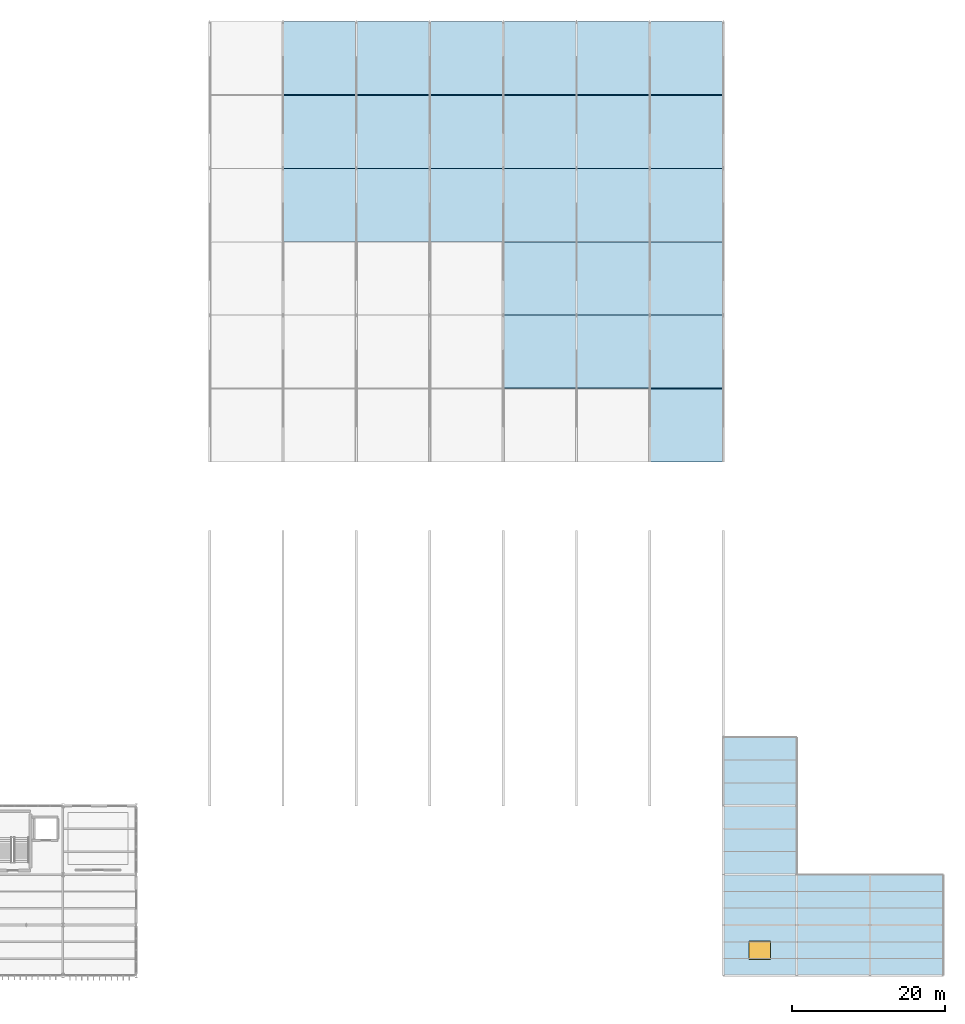
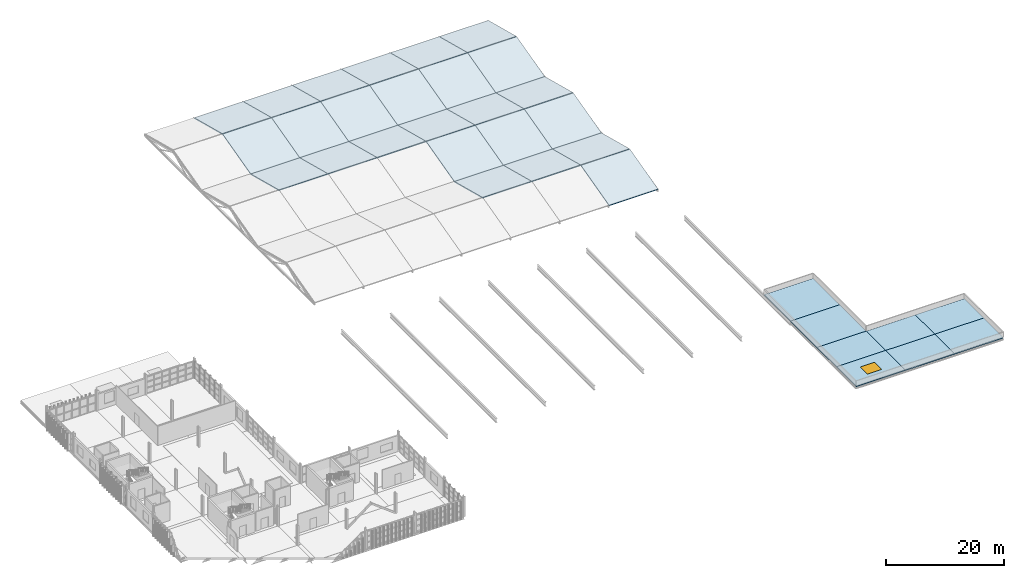
# One storey, part 22 of 52: 33 slabs, 1 window, 1 opening.
"""IFC4 building model written with IfcOpenShell, lengths in metres."""

from ifc_helpers import new_model, si_unit, direction, frame, origin, origin_2d, place, context, subcontext, project, spatial, polyline, rectangle, outline, extrude, material, layer, layer_set, type_object, element, fill, save


model = new_model("IFC4")

# Units and contexts
model_context = context("Model", 3, precision=1e-05, world=origin(), true_north=direction((0.0, 1.0)))
body_context = subcontext(model_context, "Body", "Model", "MODEL_VIEW")
ifc_project = project(units=[si_unit("LENGTHUNIT", "METRE"), si_unit("AREAUNIT", "SQUARE_METRE"), si_unit("VOLUMEUNIT", "CUBIC_METRE"), si_unit("PLANEANGLEUNIT", "RADIAN"), si_unit("MASSUNIT", "GRAM", prefix="KILO")], contexts=[model_context])

# Site, building, storey
site_placement = place(None, origin())
site = spatial("IfcSite", under=ifc_project, at=site_placement, CompositionType="ELEMENT")
building_placement = place(site_placement, origin())
building = spatial("IfcBuilding", under=site, at=building_placement, Name="Zarnetskaya Central Station", CompositionType="ELEMENT")
storey_placement = place(building_placement, frame((0.0, 0.0, 14.39990234375)))
storey = spatial("IfcBuildingStorey", under=building, at=storey_placement, Name="L03", CompositionType="ELEMENT", Elevation=14.39990234375)

# Slab, opening, window
ifc_material_1 = material(Name="Concrete C30/37", Category="concrete")
ifc_layer_1 = layer(ifc_material_1, 0.2099609375, Name="Concrete C30/37", Category="concrete")
ifc_layer_set_1 = layer_set([ifc_layer_1], Name="Concrete C30/37")
slab_type_1 = type_object("IfcSlabType", Name="ROOF-FLAT-210", PredefinedType="ROOF", material=ifc_layer_set_1)
slab_1_placement = place(storey_placement, frame((0.0, 0.0, -0.2099609375)))
slab_1 = element("IfcSlab", 1, at=slab_1_placement, inside=storey, type_object=slab_type_1, Name="L03 slab P-Q/1-2", PredefinedType="ROOF", context=body_context, shape_type="SweptSolid", body=[
    extrude(outline(polyline([(124.800048828125, 0.0), (134.39990234375, 0.0), (134.39990234375, 6.60009765625), (124.800048828125, 6.60009765625), (124.800048828125, 0.0)])), origin(), (0.0, 0.0, 1.0), 0.2099609375),
])
opening_placement = place(slab_1_placement, frame((129.60009765625, 3.300048828125, 0.0)))
opening = element("IfcOpeningElement", 2, at=opening_placement, cuts=slab_1, Name="Opening SK-03", PredefinedType="OPENING", context=body_context, shape_type="SweptSolid", body=[
    extrude(rectangle(XDim=2.800048828125, YDim=2.39990234375, at=origin_2d()), frame((0.0, 0.0, -0.010009765625)), (0.0, 0.0, 1.0), 0.22998046875),
])
ifc_material_2 = material(Name="Low-E insulated glass", Category="glass")
window_type = type_object("IfcWindowType", Name="SKY-02", PartitioningType="SINGLE_PANEL", PredefinedType="SKYLIGHT", material=ifc_material_2)
window_placement = place(opening_placement, frame((0.0, 0.0, 0.159912109375)))
window = element("IfcWindow", 3, at=window_placement, inside=storey, type_object=window_type, Name="Insulated roof skylight 08", OverallHeight=2.39990234375, OverallWidth=2.800048828125, PartitioningType="SINGLE_PANEL", PredefinedType="SKYLIGHT", context=body_context, shape_type="SweptSolid", body=[
    extrude(rectangle(XDim=2.800048828125, YDim=2.39990234375, at=origin_2d()), origin(), (0.0, 0.0, 1.0), 0.050048828125),
])
fill(opening, window)

# Slabs
slab_2_placement = place(storey_placement, frame((0.0, 0.0, -0.2099609375)))
element("IfcSlab", 4, at=slab_2_placement, inside=storey, type_object=slab_type_1, Name="L03 slab P-Q/2-3", PredefinedType="ROOF", context=body_context, shape_type="SweptSolid", body=[
    extrude(outline(polyline([(124.800048828125, 6.60009765625), (134.39990234375, 6.60009765625), (134.39990234375, 13.199951171875), (124.800048828125, 13.199951171875), (124.800048828125, 6.60009765625)])), origin(), (0.0, 0.0, 1.0), 0.2099609375),
])
slab_3_placement = place(storey_placement, frame((0.0, 0.0, -0.2099609375)))
element("IfcSlab", 5, at=slab_3_placement, inside=storey, type_object=slab_type_1, Name="L03 slab P-Q/3-4", PredefinedType="ROOF", context=body_context, shape_type="SweptSolid", body=[
    extrude(outline(polyline([(124.800048828125, 13.199951171875), (134.39990234375, 13.199951171875), (134.39990234375, 22.199951171875), (124.800048828125, 22.199951171875), (124.800048828125, 13.199951171875)])), origin(), (0.0, 0.0, 1.0), 0.2099609375),
])
slab_4_placement = place(storey_placement, frame((0.0, 0.0, -0.2099609375)))
element("IfcSlab", 6, at=slab_4_placement, inside=storey, type_object=slab_type_1, Name="L03 slab P-Q/4-5", PredefinedType="ROOF", context=body_context, shape_type="SweptSolid", body=[
    extrude(outline(polyline([(124.800048828125, 22.199951171875), (134.39990234375, 22.199951171875), (134.39990234375, 31.199951171875), (124.800048828125, 31.199951171875), (124.800048828125, 22.199951171875)])), origin(), (0.0, 0.0, 1.0), 0.2099609375),
])
slab_5_placement = place(storey_placement, frame((0.0, 0.0, -0.2099609375)))
element("IfcSlab", 7, at=slab_5_placement, inside=storey, type_object=slab_type_1, Name="L03 slab Q-R/1-2", PredefinedType="ROOF", context=body_context, shape_type="SweptSolid", body=[
    extrude(outline(polyline([(134.39990234375, 0.0), (144.0, 0.0), (144.0, 6.60009765625), (134.39990234375, 6.60009765625), (134.39990234375, 0.0)])), origin(), (0.0, 0.0, 1.0), 0.2099609375),
])
slab_6_placement = place(storey_placement, frame((0.0, 0.0, -0.2099609375)))
element("IfcSlab", 8, at=slab_6_placement, inside=storey, type_object=slab_type_1, Name="L03 slab Q-R/2-3", PredefinedType="ROOF", context=body_context, shape_type="SweptSolid", body=[
    extrude(outline(polyline([(134.39990234375, 6.60009765625), (144.0, 6.60009765625), (144.0, 13.199951171875), (134.39990234375, 13.199951171875), (134.39990234375, 6.60009765625)])), origin(), (0.0, 0.0, 1.0), 0.2099609375),
])
slab_7_placement = place(storey_placement, frame((0.0, 0.0, -0.2099609375)))
element("IfcSlab", 9, at=slab_7_placement, inside=storey, type_object=slab_type_1, Name="L03 slab R-S/1-2", PredefinedType="ROOF", context=body_context, shape_type="SweptSolid", body=[
    extrude(outline(polyline([(144.0, 0.0), (153.60009765625, 0.0), (153.60009765625, 6.60009765625), (144.0, 6.60009765625), (144.0, 0.0)])), origin(), (0.0, 0.0, 1.0), 0.2099609375),
])
slab_8_placement = place(storey_placement, frame((0.0, 0.0, -0.2099609375)))
element("IfcSlab", 10, at=slab_8_placement, inside=storey, type_object=slab_type_1, Name="L03 slab R-S/2-3", PredefinedType="ROOF", context=body_context, shape_type="SweptSolid", body=[
    extrude(outline(polyline([(144.0, 6.60009765625), (153.60009765625, 6.60009765625), (153.60009765625, 13.199951171875), (144.0, 13.199951171875), (144.0, 6.60009765625)])), origin(), (0.0, 0.0, 1.0), 0.2099609375),
])
ifc_layer_2 = layer(ifc_material_1, 0.169921875, Name="Concrete C30/37", Category="concrete")
ifc_layer_set_2 = layer_set([ifc_layer_2], Name="Concrete C30/37")
slab_type_2 = type_object("IfcSlabType", Name="ROOF-SHED-170", PredefinedType="ROOF", material=ifc_layer_set_2)
slab_9_placement = place(storey_placement, frame((105.60009765625, 86.39990234375, 0.0), z_axis=(0.0, 0.251599051262, 0.967831554251), x_axis=(-1.0, 0.0, 0.0)))
element("IfcSlab", 11, at=slab_9_placement, inside=storey, type_object=slab_type_2, Name="Train shed sloped roof deck SV1N-5", PredefinedType="ROOF", context=body_context, shape_type="SweptSolid", body=[
    extrude(outline(polyline([(0.0, 0.0), (9.60009765625, 0.0), (9.60009765625, 9.856875279560635), (0.0, 9.856875279560635), (0.0, 0.0)])), origin(), (0.0, 0.0, -1.0), 0.169921875),
])
slab_10_placement = place(storey_placement, frame((115.199951171875, 86.39990234375, 0.0), z_axis=(0.0, 0.251599051262, 0.967831554251), x_axis=(-1.0, 0.0, 0.0)))
element("IfcSlab", 12, at=slab_10_placement, inside=storey, type_object=slab_type_2, Name="Train shed sloped roof deck SV1N-6", PredefinedType="ROOF", context=body_context, shape_type="SweptSolid", body=[
    extrude(outline(polyline([(0.0, 0.0), (9.599853515625, 0.0), (9.599853515625, 9.856875279560635), (0.0, 9.856875279560635), (0.0, 0.0)])), origin(), (0.0, 0.0, -1.0), 0.169921875),
])
slab_11_placement = place(storey_placement, frame((115.199951171875, 67.199951171875, 0.0), z_axis=(0.0, -0.251593020121, 0.967833122096), x_axis=(1.0, 0.0, 0.0)))
element("IfcSlab", 13, at=slab_11_placement, inside=storey, type_object=slab_type_2, Name="Train shed sloped roof deck SV1S-7", PredefinedType="ROOF", context=body_context, shape_type="SweptSolid", body=[
    extrude(outline(polyline([(0.0, 0.0), (9.60009765625, 0.0), (9.60009765625, 9.857111566752572), (0.0, 9.857111566752572), (0.0, 0.0)])), origin(), (0.0, 0.0, -1.0), 0.169921875),
])
slab_12_placement = place(storey_placement, frame((124.800048828125, 86.39990234375, 0.0), z_axis=(0.0, 0.251599051262, 0.967831554251), x_axis=(-1.0, 0.0, 0.0)))
element("IfcSlab", 14, at=slab_12_placement, inside=storey, type_object=slab_type_2, Name="Train shed sloped roof deck SV1N-7", PredefinedType="ROOF", context=body_context, shape_type="SweptSolid", body=[
    extrude(outline(polyline([(0.0, 0.0), (9.60009765625, 0.0), (9.60009765625, 9.856875279560635), (0.0, 9.856875279560635), (0.0, 0.0)])), origin(), (0.0, 0.0, -1.0), 0.169921875),
])
slab_13_placement = place(storey_placement, frame((76.800048828125, 105.60009765625, 0.0), z_axis=(0.0, 0.251593020121, 0.967833122096), x_axis=(-1.0, 0.0, 0.0)))
element("IfcSlab", 15, at=slab_13_placement, inside=storey, type_object=slab_type_2, Name="Train shed sloped roof deck SV2N-2", PredefinedType="ROOF", context=body_context, shape_type="SweptSolid", body=[
    extrude(outline(polyline([(0.0, 0.0), (9.60009765625, 0.0), (9.60009765625, 9.857111566752572), (0.0, 9.857111566752572), (0.0, 0.0)])), origin(), (0.0, 0.0, -1.0), 0.169921875),
])
slab_14_placement = place(storey_placement, frame((86.39990234375, 105.60009765625, 0.0), z_axis=(0.0, 0.251593020121, 0.967833122096), x_axis=(-1.0, 0.0, 0.0)))
element("IfcSlab", 16, at=slab_14_placement, inside=storey, type_object=slab_type_2, Name="Train shed sloped roof deck SV2N-3", PredefinedType="ROOF", context=body_context, shape_type="SweptSolid", body=[
    extrude(outline(polyline([(0.0, 0.0), (9.599853515625, 0.0), (9.599853515625, 9.857111566752572), (0.0, 9.857111566752572), (0.0, 0.0)])), origin(), (0.0, 0.0, -1.0), 0.169921875),
])
for number, where, z_axis, x_axis, name in (
    (17, (96.0, 105.60009765625, 0.0), (0.0, 0.251593020121, 0.967833122096), (-1.0, 0.0, 0.0), "Train shed sloped roof deck SV2N-4"),
    (18, (96.0, 86.39990234375, 0.0), (0.0, -0.251593020121, 0.967833122096), (1.0, 0.0, 0.0), "Train shed sloped roof deck SV2S-5"),
    (19, (105.60009765625, 105.60009765625, 0.0), (0.0, 0.251593020121, 0.967833122096), (-1.0, 0.0, 0.0), "Train shed sloped roof deck SV2N-5"),
):
    element("IfcSlab", number, at=place(storey_placement, frame(where, z_axis=z_axis, x_axis=x_axis)), inside=storey, type_object=slab_type_2, Name=name, PredefinedType="ROOF", context=body_context, shape_type="SweptSolid", body=[
        extrude(outline(polyline([(0.0, 0.0), (9.60009765625, 0.0), (9.60009765625, 9.857111566752572), (0.0, 9.857111566752572), (0.0, 0.0)])), origin(), (0.0, 0.0, -1.0), 0.169921875),
    ])
for number, where, z_axis, x_axis, name in (
    (20, (105.60009765625, 86.39990234375, 0.0), (0.0, -0.251593020121, 0.967833122096), (1.0, 0.0, 0.0), "Train shed sloped roof deck SV2S-6"),
    (21, (115.199951171875, 105.60009765625, 0.0), (0.0, 0.251593020121, 0.967833122096), (-1.0, 0.0, 0.0), "Train shed sloped roof deck SV2N-6"),
):
    element("IfcSlab", number, at=place(storey_placement, frame(where, z_axis=z_axis, x_axis=x_axis)), inside=storey, type_object=slab_type_2, Name=name, PredefinedType="ROOF", context=body_context, shape_type="SweptSolid", body=[
        extrude(outline(polyline([(0.0, 0.0), (9.599853515625, 0.0), (9.599853515625, 9.857111566752572), (0.0, 9.857111566752572), (0.0, 0.0)])), origin(), (0.0, 0.0, -1.0), 0.169921875),
    ])
for number, where, z_axis, x_axis, name in (
    (22, (115.199951171875, 86.39990234375, 0.0), (0.0, -0.251593020121, 0.967833122096), (1.0, 0.0, 0.0), "Train shed sloped roof deck SV2S-7"),
    (23, (124.800048828125, 105.60009765625, 0.0), (0.0, 0.251593020121, 0.967833122096), (-1.0, 0.0, 0.0), "Train shed sloped roof deck SV2N-7"),
):
    element("IfcSlab", number, at=place(storey_placement, frame(where, z_axis=z_axis, x_axis=x_axis)), inside=storey, type_object=slab_type_2, Name=name, PredefinedType="ROOF", context=body_context, shape_type="SweptSolid", body=[
        extrude(outline(polyline([(0.0, 0.0), (9.60009765625, 0.0), (9.60009765625, 9.857111566752572), (0.0, 9.857111566752572), (0.0, 0.0)])), origin(), (0.0, 0.0, -1.0), 0.169921875),
    ])
slab_15_placement = place(storey_placement, frame((67.199951171875, 105.60009765625, 0.0), z_axis=(0.0, -0.251599051262, 0.967831554251), x_axis=(1.0, 0.0, 0.0)))
element("IfcSlab", 24, at=slab_15_placement, inside=storey, type_object=slab_type_2, Name="Train shed sloped roof deck SV3S-2", PredefinedType="ROOF", context=body_context, shape_type="SweptSolid", body=[
    extrude(outline(polyline([(0.0, 0.0), (9.60009765625, 0.0), (9.60009765625, 9.856875279560635), (0.0, 9.856875279560635), (0.0, 0.0)])), origin(), (0.0, 0.0, -1.0), 0.169921875),
])
slab_16_placement = place(storey_placement, frame((76.800048828125, 124.800048828125, 0.0), z_axis=(0.0, 0.251593020121, 0.967833122096), x_axis=(-1.0, 0.0, 0.0)))
element("IfcSlab", 25, at=slab_16_placement, inside=storey, type_object=slab_type_2, Name="Train shed sloped roof deck SV3N-2", PredefinedType="ROOF", context=body_context, shape_type="SweptSolid", body=[
    extrude(outline(polyline([(0.0, 0.0), (9.60009765625, 0.0), (9.60009765625, 9.857111566752572), (0.0, 9.857111566752572), (0.0, 0.0)])), origin(), (0.0, 0.0, -1.0), 0.169921875),
])
slab_17_placement = place(storey_placement, frame((76.800048828125, 105.60009765625, 0.0), z_axis=(0.0, -0.251599051262, 0.967831554251), x_axis=(1.0, 0.0, 0.0)))
element("IfcSlab", 26, at=slab_17_placement, inside=storey, type_object=slab_type_2, Name="Train shed sloped roof deck SV3S-3", PredefinedType="ROOF", context=body_context, shape_type="SweptSolid", body=[
    extrude(outline(polyline([(0.0, 0.0), (9.599853515625, 0.0), (9.599853515625, 9.856875279560635), (0.0, 9.856875279560635), (0.0, 0.0)])), origin(), (0.0, 0.0, -1.0), 0.169921875),
])
slab_18_placement = place(storey_placement, frame((86.39990234375, 124.800048828125, 0.0), z_axis=(0.0, 0.251593020121, 0.967833122096), x_axis=(-1.0, 0.0, 0.0)))
element("IfcSlab", 27, at=slab_18_placement, inside=storey, type_object=slab_type_2, Name="Train shed sloped roof deck SV3N-3", PredefinedType="ROOF", context=body_context, shape_type="SweptSolid", body=[
    extrude(outline(polyline([(0.0, 0.0), (9.599853515625, 0.0), (9.599853515625, 9.857111566752572), (0.0, 9.857111566752572), (0.0, 0.0)])), origin(), (0.0, 0.0, -1.0), 0.169921875),
])
slab_19_placement = place(storey_placement, frame((86.39990234375, 105.60009765625, 0.0), z_axis=(0.0, -0.251599051262, 0.967831554251), x_axis=(1.0, 0.0, 0.0)))
element("IfcSlab", 28, at=slab_19_placement, inside=storey, type_object=slab_type_2, Name="Train shed sloped roof deck SV3S-4", PredefinedType="ROOF", context=body_context, shape_type="SweptSolid", body=[
    extrude(outline(polyline([(0.0, 0.0), (9.60009765625, 0.0), (9.60009765625, 9.856875279560635), (0.0, 9.856875279560635), (0.0, 0.0)])), origin(), (0.0, 0.0, -1.0), 0.169921875),
])
slab_20_placement = place(storey_placement, frame((96.0, 124.800048828125, 0.0), z_axis=(0.0, 0.251593020121, 0.967833122096), x_axis=(-1.0, 0.0, 0.0)))
element("IfcSlab", 29, at=slab_20_placement, inside=storey, type_object=slab_type_2, Name="Train shed sloped roof deck SV3N-4", PredefinedType="ROOF", context=body_context, shape_type="SweptSolid", body=[
    extrude(outline(polyline([(0.0, 0.0), (9.60009765625, 0.0), (9.60009765625, 9.857111566752572), (0.0, 9.857111566752572), (0.0, 0.0)])), origin(), (0.0, 0.0, -1.0), 0.169921875),
])
slab_21_placement = place(storey_placement, frame((96.0, 105.60009765625, 0.0), z_axis=(0.0, -0.251599051262, 0.967831554251), x_axis=(1.0, 0.0, 0.0)))
element("IfcSlab", 30, at=slab_21_placement, inside=storey, type_object=slab_type_2, Name="Train shed sloped roof deck SV3S-5", PredefinedType="ROOF", context=body_context, shape_type="SweptSolid", body=[
    extrude(outline(polyline([(0.0, 0.0), (9.60009765625, 0.0), (9.60009765625, 9.856875279560635), (0.0, 9.856875279560635), (0.0, 0.0)])), origin(), (0.0, 0.0, -1.0), 0.169921875),
])
slab_22_placement = place(storey_placement, frame((105.60009765625, 124.800048828125, 0.0), z_axis=(0.0, 0.251593020121, 0.967833122096), x_axis=(-1.0, 0.0, 0.0)))
element("IfcSlab", 31, at=slab_22_placement, inside=storey, type_object=slab_type_2, Name="Train shed sloped roof deck SV3N-5", PredefinedType="ROOF", context=body_context, shape_type="SweptSolid", body=[
    extrude(outline(polyline([(0.0, 0.0), (9.60009765625, 0.0), (9.60009765625, 9.857111566752572), (0.0, 9.857111566752572), (0.0, 0.0)])), origin(), (0.0, 0.0, -1.0), 0.169921875),
])
slab_23_placement = place(storey_placement, frame((105.60009765625, 105.60009765625, 0.0), z_axis=(0.0, -0.251599051262, 0.967831554251), x_axis=(1.0, 0.0, 0.0)))
element("IfcSlab", 32, at=slab_23_placement, inside=storey, type_object=slab_type_2, Name="Train shed sloped roof deck SV3S-6", PredefinedType="ROOF", context=body_context, shape_type="SweptSolid", body=[
    extrude(outline(polyline([(0.0, 0.0), (9.599853515625, 0.0), (9.599853515625, 9.856875279560635), (0.0, 9.856875279560635), (0.0, 0.0)])), origin(), (0.0, 0.0, -1.0), 0.169921875),
])
slab_24_placement = place(storey_placement, frame((115.199951171875, 124.800048828125, 0.0), z_axis=(0.0, 0.251593020121, 0.967833122096), x_axis=(-1.0, 0.0, 0.0)))
element("IfcSlab", 33, at=slab_24_placement, inside=storey, type_object=slab_type_2, Name="Train shed sloped roof deck SV3N-6", PredefinedType="ROOF", context=body_context, shape_type="SweptSolid", body=[
    extrude(outline(polyline([(0.0, 0.0), (9.599853515625, 0.0), (9.599853515625, 9.857111566752572), (0.0, 9.857111566752572), (0.0, 0.0)])), origin(), (0.0, 0.0, -1.0), 0.169921875),
])
slab_25_placement = place(storey_placement, frame((115.199951171875, 105.60009765625, 0.0), z_axis=(0.0, -0.251599051262, 0.967831554251), x_axis=(1.0, 0.0, 0.0)))
element("IfcSlab", 34, at=slab_25_placement, inside=storey, type_object=slab_type_2, Name="Train shed sloped roof deck SV3S-7", PredefinedType="ROOF", context=body_context, shape_type="SweptSolid", body=[
    extrude(outline(polyline([(0.0, 0.0), (9.60009765625, 0.0), (9.60009765625, 9.856875279560635), (0.0, 9.856875279560635), (0.0, 0.0)])), origin(), (0.0, 0.0, -1.0), 0.169921875),
])
slab_26_placement = place(storey_placement, frame((124.800048828125, 124.800048828125, 0.0), z_axis=(0.0, 0.251593020121, 0.967833122096), x_axis=(-1.0, 0.0, 0.0)))
element("IfcSlab", 35, at=slab_26_placement, inside=storey, type_object=slab_type_2, Name="Train shed sloped roof deck SV3N-7", PredefinedType="ROOF", context=body_context, shape_type="SweptSolid", body=[
    extrude(outline(polyline([(0.0, 0.0), (9.60009765625, 0.0), (9.60009765625, 9.857111566752572), (0.0, 9.857111566752572), (0.0, 0.0)])), origin(), (0.0, 0.0, -1.0), 0.169921875),
])

save(model, "model.ifc")
